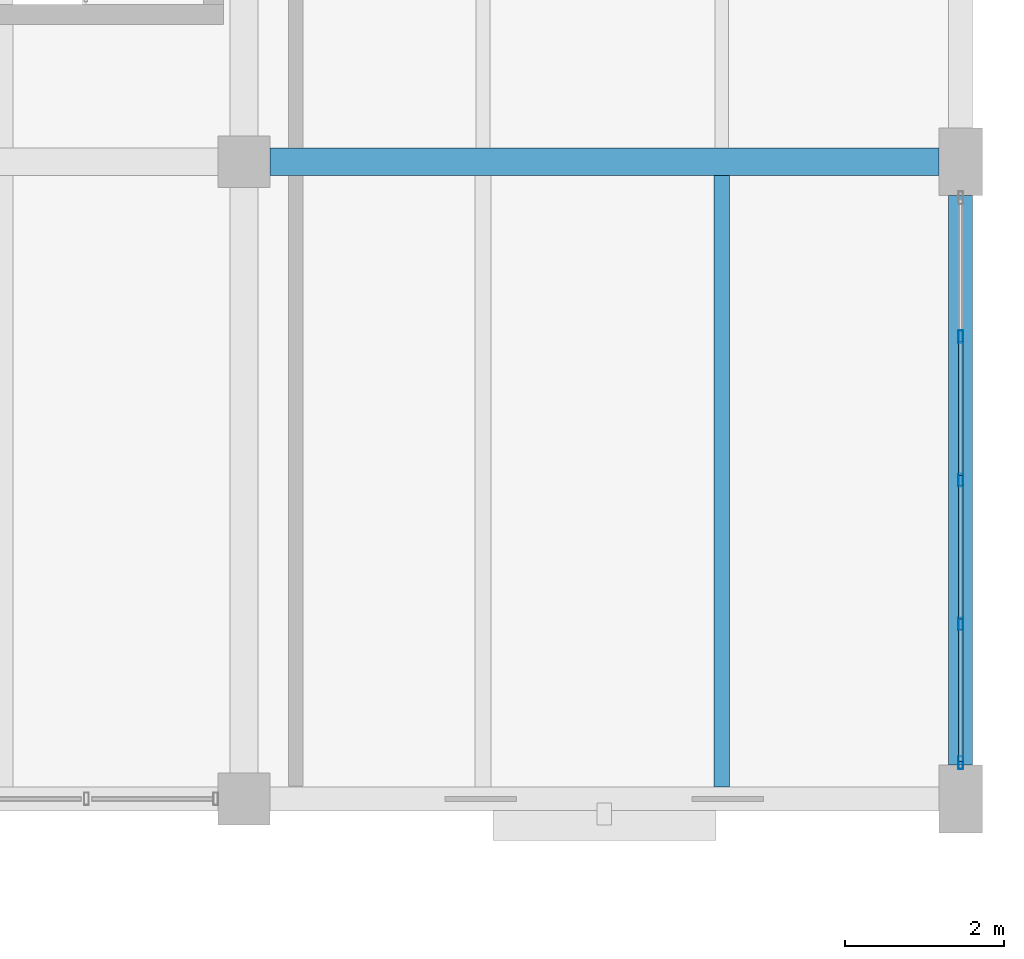
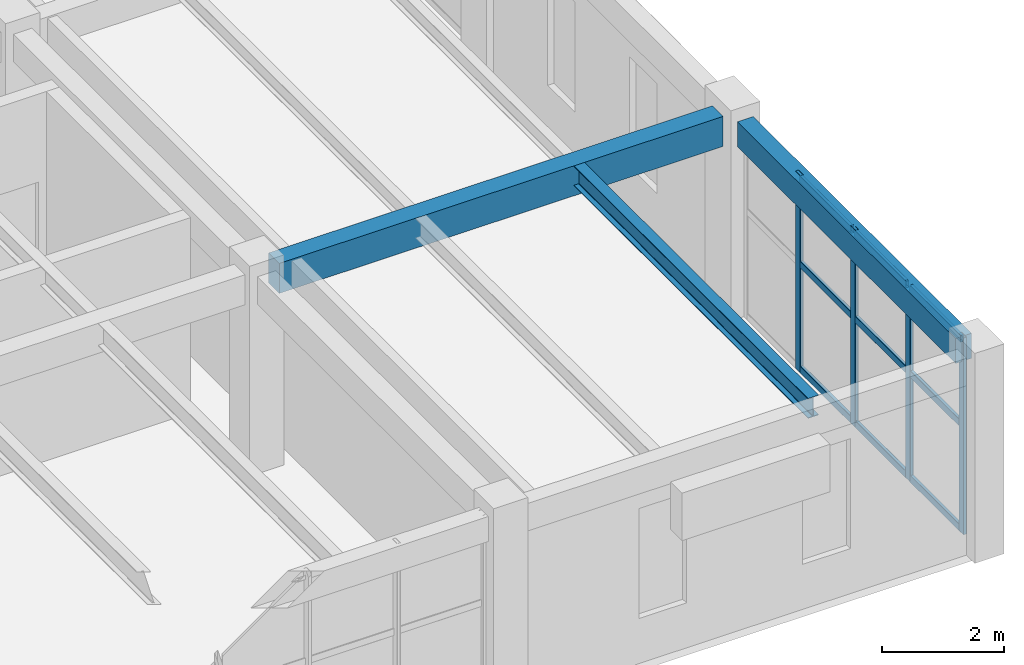
# One storey, part 19 of 71: 13 members, 3 beams, 1 element without a shape of its own.
"""IFC4 building model written with IfcOpenShell, lengths in metres."""

from ifc_helpers import new_model, si_unit, derived_unit, direction, frame, origin, origin_2d, place, context, subcontext, project, spatial, rectangle, hollow_rectangle, i_section, extrude, material, material_profile, profile_set, type_object, element, aggregate, save


model = new_model("IFC4")

# Units and contexts
model_context = context("Model", 3, precision=1e-05, world=origin(), true_north=direction((0.0, 1.0)))
body_context = subcontext(model_context, "Body", "Model", "MODEL_VIEW")
ifc_project = project(units=[si_unit("LENGTHUNIT", "METRE"), si_unit("AREAUNIT", "SQUARE_METRE"), si_unit("VOLUMEUNIT", "CUBIC_METRE"), si_unit("PLANEANGLEUNIT", "RADIAN"), si_unit("MASSUNIT", "GRAM", prefix="KILO"), derived_unit("THERMALTRANSMITTANCEUNIT", [(si_unit("MASSUNIT", "GRAM", prefix="KILO"), 1), (si_unit("TIMEUNIT", "SECOND"), -3), (si_unit("THERMODYNAMICTEMPERATUREUNIT", "KELVIN"), -1)])], contexts=[model_context])

# Site, building, storey
site_placement = place(None, origin())
site = spatial("IfcSite", under=ifc_project, at=site_placement, CompositionType="ELEMENT")
building_placement = place(site_placement, origin())
building = spatial("IfcBuilding", under=site, at=building_placement, Name="Zhenchuan Archway Interchange", CompositionType="ELEMENT")
storey_placement = place(building_placement, frame((0.0, 0.0, 18.60009765625)))
storey = spatial("IfcBuildingStorey", under=building, at=storey_placement, Name="L04", CompositionType="ELEMENT", Elevation=18.60009765625)

# Beam
ifc_material_1 = material(Name="Concrete C40", Category="concrete")
ifc_material_profile_1 = material_profile(ifc_material_1, rectangle(XDim=0.35009765625, YDim=0.60009765625, at=origin_2d()), Name="RC 350x600")
ifc_profile_set_1 = profile_set([ifc_material_profile_1], Name="Concrete C40")
beam_type_1 = type_object("IfcBeamType", Name="BM_RC_350x600", PredefinedType="BEAM", material=ifc_profile_set_1)
beam_1_placement = place(storey_placement, frame((162.324951171875, 16.0, 3.639892578125), z_axis=(1.0, 0.0, 0.0), x_axis=(0.0, 1.0, 0.0)))
element("IfcBeam", 1, at=beam_1_placement, inside=storey, type_object=beam_type_1, Name="Beam C:19-20 (L04)", PredefinedType="BEAM", context=body_context, shape_type="SweptSolid", body=[
    extrude(rectangle(XDim=0.35009765625, YDim=0.60009765625, at=origin_2d()), origin(), (0.0, 0.0, 1.0), 8.400146484375),
])

# Curtain wall, members
ifc_material_2 = material(Name="Anodised Aluminium", Category="aluminium")
curtain_wall_type = type_object("IfcCurtainWallType", Name="CW_UNIT_4", PredefinedType="NOTDEFINED", material=ifc_material_2)
curtain_wall_placement = place(storey_placement, origin())
curtain_wall = element("IfcCurtainWall", 2, at=curtain_wall_placement, inside=storey, type_object=curtain_wall_type, Name="Unitised curtain wall CW:L04:199", PredefinedType="NOTDEFINED")
ifc_material_profile_2 = material_profile(ifc_material_2, hollow_rectangle(XDim=0.06005859375, YDim=0.159912109375, WallThickness=0.00390625, InnerFilletRadius=0.00390625, OuterFilletRadius=0.008056640625, at=origin_2d()), Name="ALU 160x60x4")
ifc_profile_set_2 = profile_set([ifc_material_profile_2], Name="Anodised Aluminium")
member_type_1 = type_object("IfcMemberType", Name="CW_MUL_150", PredefinedType="MULLION", material=ifc_profile_set_2)
member_1_placement = place(storey_placement, frame((171.0, 13.803466796875, 0.0), z_axis=(0.0, 0.0, 1.0), x_axis=(1.0, 0.0, 0.0)))
member_1 = element("IfcMember", 3, at=member_1_placement, type_object=member_type_1, Name="CW:L04:199 mullion 1", PredefinedType="MULLION", context=body_context, shape_type="SweptSolid", body=[
    extrude(hollow_rectangle(XDim=0.06005859375, YDim=0.159912109375, WallThickness=0.00390625, InnerFilletRadius=0.00390625, OuterFilletRadius=0.008056640625, at=origin_2d()), origin(), (0.0, 0.0, 1.0), 3.93994140625),
])
member_2_placement = place(storey_placement, frame((171.0, 12.0, 0.0), z_axis=(0.0, 0.0, 1.0), x_axis=(1.0, 0.0, 0.0)))
member_2 = element("IfcMember", 4, at=member_2_placement, type_object=member_type_1, Name="CW:L04:199 mullion 2", PredefinedType="MULLION", context=body_context, shape_type="SweptSolid", body=[
    extrude(hollow_rectangle(XDim=0.06005859375, YDim=0.159912109375, WallThickness=0.00390625, InnerFilletRadius=0.00390625, OuterFilletRadius=0.008056640625, at=origin_2d()), origin(), (0.0, 0.0, 1.0), 3.93994140625),
])
member_3_placement = place(storey_placement, frame((171.0, 10.196533203125, 0.0), z_axis=(0.0, 0.0, 1.0), x_axis=(1.0, 0.0, 0.0)))
member_3 = element("IfcMember", 5, at=member_3_placement, type_object=member_type_1, Name="CW:L04:199 mullion 3", PredefinedType="MULLION", context=body_context, shape_type="SweptSolid", body=[
    extrude(hollow_rectangle(XDim=0.06005859375, YDim=0.159912109375, WallThickness=0.00390625, InnerFilletRadius=0.00390625, OuterFilletRadius=0.008056640625, at=origin_2d()), origin(), (0.0, 0.0, 1.0), 3.93994140625),
])
member_4_placement = place(storey_placement, frame((171.0, 8.452880859375, 0.0), z_axis=(0.0, 0.0, 1.0), x_axis=(1.0, 0.0, 0.0)))
member_4 = element("IfcMember", 6, at=member_4_placement, type_object=member_type_1, Name="CW:L04:199 mullion 4", PredefinedType="MULLION", context=body_context, shape_type="SweptSolid", body=[
    extrude(hollow_rectangle(XDim=0.06005859375, YDim=0.159912109375, WallThickness=0.00390625, InnerFilletRadius=0.00390625, OuterFilletRadius=0.008056640625, at=origin_2d()), origin(), (0.0, 0.0, 1.0), 3.93994140625),
])
ifc_material_profile_3 = material_profile(ifc_material_2, hollow_rectangle(XDim=0.06005859375, YDim=0.139892578125, WallThickness=0.00341796875, InnerFilletRadius=0.00341796875, OuterFilletRadius=0.007080078125, at=origin_2d()), Name="ALU 140x60x3.5")
ifc_profile_set_3 = profile_set([ifc_material_profile_3], Name="Anodised Aluminium")
member_type_2 = type_object("IfcMemberType", Name="CW_TRN_140", PredefinedType="USERDEFINED", material=ifc_profile_set_3)
member_5_placement = place(storey_placement, frame((171.0, 13.743408203125, 0.059814453125), z_axis=(0.0, -1.0, 0.0), x_axis=(1.0, 0.0, 0.0)))
member_5 = element("IfcMember", 7, at=member_5_placement, type_object=member_type_2, Name="CW:L04:199 transom 1-1", ObjectType="TRANSOM", PredefinedType="USERDEFINED", context=body_context, shape_type="SweptSolid", body=[
    extrude(hollow_rectangle(XDim=0.06005859375, YDim=0.139892578125, WallThickness=0.00341796875, InnerFilletRadius=0.00341796875, OuterFilletRadius=0.007080078125, at=origin_2d()), origin(), (0.0, 0.0, 1.0), 1.683349609375),
])
member_6_placement = place(storey_placement, frame((171.0, 13.743408203125, 2.156005859375), z_axis=(0.0, -1.0, 0.0), x_axis=(1.0, 0.0, 0.0)))
member_6 = element("IfcMember", 8, at=member_6_placement, type_object=member_type_2, Name="CW:L04:199 transom 1-2", ObjectType="TRANSOM", PredefinedType="USERDEFINED", context=body_context, shape_type="SweptSolid", body=[
    extrude(hollow_rectangle(XDim=0.06005859375, YDim=0.139892578125, WallThickness=0.00341796875, InnerFilletRadius=0.00341796875, OuterFilletRadius=0.007080078125, at=origin_2d()), origin(), (0.0, 0.0, 1.0), 1.683349609375),
])
member_7_placement = place(storey_placement, frame((171.0, 13.743408203125, 3.85986328125), z_axis=(0.0, -1.0, 0.0), x_axis=(1.0, 0.0, 0.0)))
member_7 = element("IfcMember", 9, at=member_7_placement, type_object=member_type_2, Name="CW:L04:199 transom 1-3", ObjectType="TRANSOM", PredefinedType="USERDEFINED", context=body_context, shape_type="SweptSolid", body=[
    extrude(hollow_rectangle(XDim=0.06005859375, YDim=0.139892578125, WallThickness=0.00341796875, InnerFilletRadius=0.00341796875, OuterFilletRadius=0.007080078125, at=origin_2d()), origin(), (0.0, 0.0, 1.0), 1.683349609375),
])
member_8_placement = place(storey_placement, frame((171.0, 11.93994140625, 0.059814453125), z_axis=(0.0, -1.0, 0.0), x_axis=(1.0, 0.0, 0.0)))
member_8 = element("IfcMember", 10, at=member_8_placement, type_object=member_type_2, Name="CW:L04:199 transom 2-1", ObjectType="TRANSOM", PredefinedType="USERDEFINED", context=body_context, shape_type="SweptSolid", body=[
    extrude(hollow_rectangle(XDim=0.06005859375, YDim=0.139892578125, WallThickness=0.00341796875, InnerFilletRadius=0.00341796875, OuterFilletRadius=0.007080078125, at=origin_2d()), origin(), (0.0, 0.0, 1.0), 1.683349609375),
])
member_9_placement = place(storey_placement, frame((171.0, 11.93994140625, 2.156005859375), z_axis=(0.0, -1.0, 0.0), x_axis=(1.0, 0.0, 0.0)))
member_9 = element("IfcMember", 11, at=member_9_placement, type_object=member_type_2, Name="CW:L04:199 transom 2-2", ObjectType="TRANSOM", PredefinedType="USERDEFINED", context=body_context, shape_type="SweptSolid", body=[
    extrude(hollow_rectangle(XDim=0.06005859375, YDim=0.139892578125, WallThickness=0.00341796875, InnerFilletRadius=0.00341796875, OuterFilletRadius=0.007080078125, at=origin_2d()), origin(), (0.0, 0.0, 1.0), 1.683349609375),
])
member_10_placement = place(storey_placement, frame((171.0, 11.93994140625, 3.85986328125), z_axis=(0.0, -1.0, 0.0), x_axis=(1.0, 0.0, 0.0)))
member_10 = element("IfcMember", 12, at=member_10_placement, type_object=member_type_2, Name="CW:L04:199 transom 2-3", ObjectType="TRANSOM", PredefinedType="USERDEFINED", context=body_context, shape_type="SweptSolid", body=[
    extrude(hollow_rectangle(XDim=0.06005859375, YDim=0.139892578125, WallThickness=0.00341796875, InnerFilletRadius=0.00341796875, OuterFilletRadius=0.007080078125, at=origin_2d()), origin(), (0.0, 0.0, 1.0), 1.683349609375),
])
member_11_placement = place(storey_placement, frame((171.0, 10.136474609375, 0.059814453125), z_axis=(0.0, -1.0, 0.0), x_axis=(1.0, 0.0, 0.0)))
member_11 = element("IfcMember", 13, at=member_11_placement, type_object=member_type_2, Name="CW:L04:199 transom 3-1", ObjectType="TRANSOM", PredefinedType="USERDEFINED", context=body_context, shape_type="SweptSolid", body=[
    extrude(hollow_rectangle(XDim=0.06005859375, YDim=0.139892578125, WallThickness=0.00341796875, InnerFilletRadius=0.00341796875, OuterFilletRadius=0.007080078125, at=origin_2d()), origin(), (0.0, 0.0, 1.0), 1.66357421875),
])
member_12_placement = place(storey_placement, frame((171.0, 10.136474609375, 2.156005859375), z_axis=(0.0, -1.0, 0.0), x_axis=(1.0, 0.0, 0.0)))
member_12 = element("IfcMember", 14, at=member_12_placement, type_object=member_type_2, Name="CW:L04:199 transom 3-2", ObjectType="TRANSOM", PredefinedType="USERDEFINED", context=body_context, shape_type="SweptSolid", body=[
    extrude(hollow_rectangle(XDim=0.06005859375, YDim=0.139892578125, WallThickness=0.00341796875, InnerFilletRadius=0.00341796875, OuterFilletRadius=0.007080078125, at=origin_2d()), origin(), (0.0, 0.0, 1.0), 1.66357421875),
])
member_13_placement = place(storey_placement, frame((171.0, 10.136474609375, 3.85986328125), z_axis=(0.0, -1.0, 0.0), x_axis=(1.0, 0.0, 0.0)))
member_13 = element("IfcMember", 15, at=member_13_placement, type_object=member_type_2, Name="CW:L04:199 transom 3-3", ObjectType="TRANSOM", PredefinedType="USERDEFINED", context=body_context, shape_type="SweptSolid", body=[
    extrude(hollow_rectangle(XDim=0.06005859375, YDim=0.139892578125, WallThickness=0.00341796875, InnerFilletRadius=0.00341796875, OuterFilletRadius=0.007080078125, at=origin_2d()), origin(), (0.0, 0.0, 1.0), 1.66357421875),
])
aggregate(curtain_wall, [member_1, member_2, member_3, member_4, member_5, member_6, member_7, member_8, member_9, member_10, member_11, member_12, member_13])

# Beams
ifc_material_3 = material(Name="Steel Q355", Category="steel")
ifc_material_profile_4 = material_profile(ifc_material_3, i_section(OverallWidth=0.199951171875, OverallDepth=0.39990234375, WebThickness=0.008056640625, FlangeThickness=0.012939453125, FilletRadius=0.01611328125, at=origin_2d()), Name="HN 400x200")
ifc_profile_set_4 = profile_set([ifc_material_profile_4], Name="Steel Q355")
beam_type_2 = type_object("IfcBeamType", Name="JST_STL_HN400", PredefinedType="JOIST", material=ifc_profile_set_4)
beam_2_placement = place(storey_placement, frame((168.0, 8.14990234375, 3.739990234375), z_axis=(0.0, 1.0, 0.0), x_axis=(-1.0, 0.0, 0.0)))
element("IfcBeam", 16, at=beam_2_placement, inside=storey, type_object=beam_type_2, Name="Secondary joist 19-20/B-C #2 (L04)", PredefinedType="JOIST", context=body_context, shape_type="SweptSolid", body=[
    extrude(i_section(OverallWidth=0.199951171875, OverallDepth=0.39990234375, WebThickness=0.008056640625, FlangeThickness=0.012939453125, FilletRadius=0.01611328125, at=origin_2d()), origin(), (0.0, 0.0, 1.0), 7.675048828125),
])
ifc_material_profile_5 = material_profile(ifc_material_1, rectangle(XDim=0.300048828125, YDim=0.5, at=origin_2d()), Name="RC 300x500")
ifc_profile_set_5 = profile_set([ifc_material_profile_5], Name="Concrete C40")
beam_type_3 = type_object("IfcBeamType", Name="SP_RC_300x500", PredefinedType="SPANDREL", material=ifc_profile_set_5)
beam_3_placement = place(storey_placement, frame((171.0, 8.425048828125, 3.68994140625), z_axis=(0.0, 1.0, 0.0), x_axis=(-1.0, 0.0, 0.0)))
element("IfcBeam", 17, at=beam_3_placement, inside=storey, type_object=beam_type_3, Name="Beam 20:B-C (L04)", PredefinedType="SPANDREL", context=body_context, shape_type="SweptSolid", body=[
    extrude(rectangle(XDim=0.300048828125, YDim=0.5, at=origin_2d()), origin(), (0.0, 0.0, 1.0), 7.14990234375),
])

save(model, "model.ifc")
